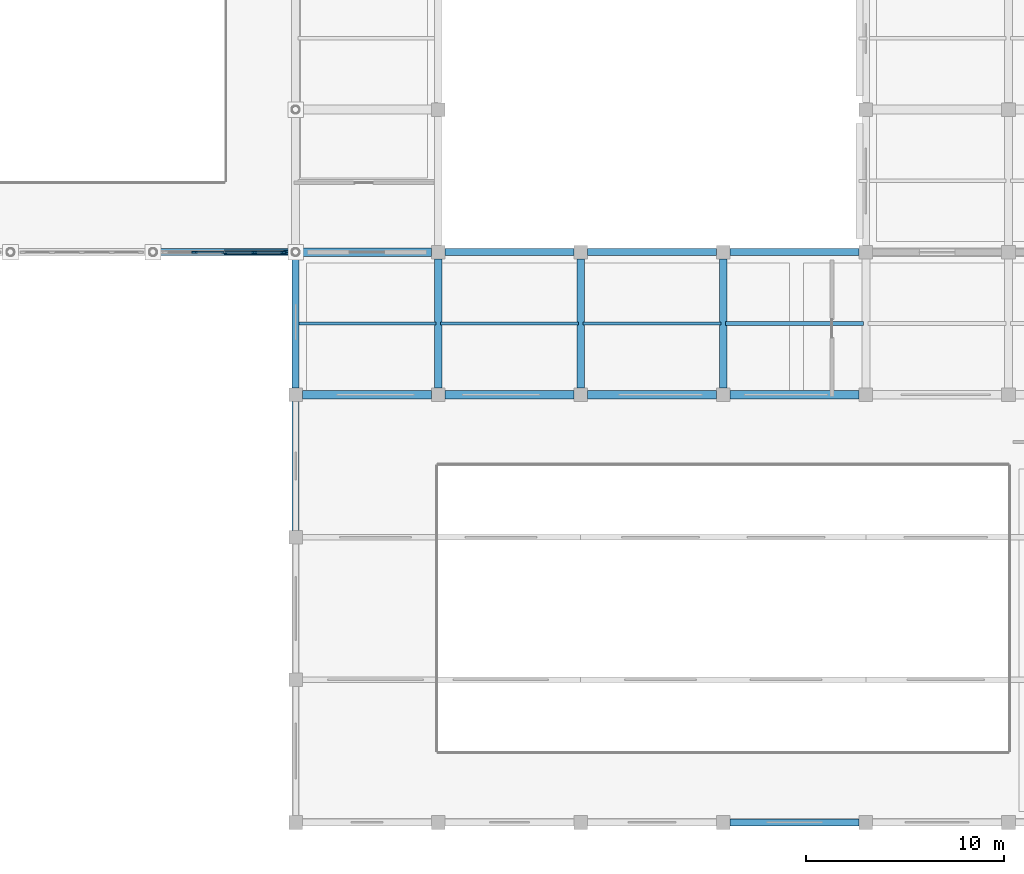
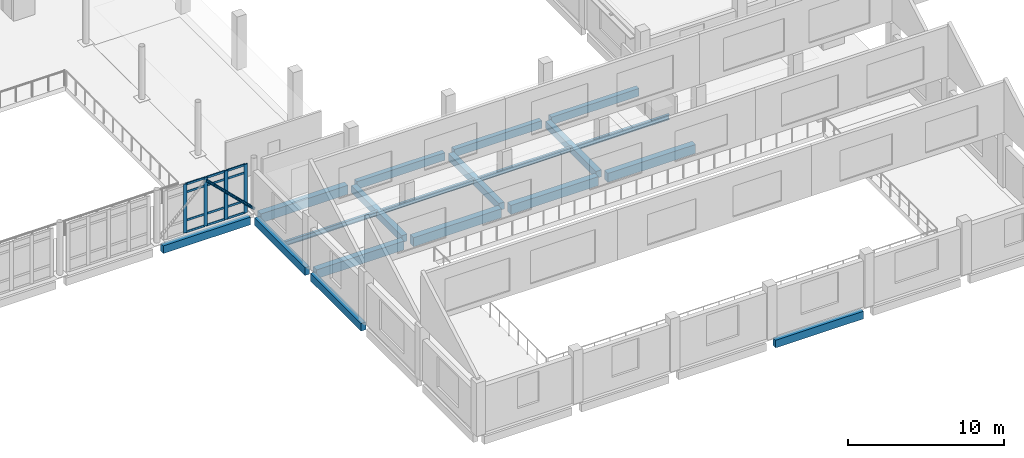
# One storey, part 19 of 62: 19 beams, 17 members, 1 element without a shape of its own.
"""IFC4 building model written with IfcOpenShell, lengths in metres."""

from ifc_helpers import new_model, si_unit, direction, frame, origin, origin_2d, place, context, subcontext, project, spatial, rectangle, hollow_circle, i_section, extrude, material, layer, layer_set, material_profile, profile_set, type_object, element, aggregate, save


model = new_model("IFC4")

# Units and contexts
model_context = context("Model", 3, precision=1e-05, world=origin(), true_north=direction((0.0, 1.0)))
body_context = subcontext(model_context, "Body", "Model", "MODEL_VIEW")
ifc_project = project(units=[si_unit("LENGTHUNIT", "METRE"), si_unit("AREAUNIT", "SQUARE_METRE"), si_unit("VOLUMEUNIT", "CUBIC_METRE"), si_unit("PLANEANGLEUNIT", "RADIAN"), si_unit("MASSUNIT", "GRAM", prefix="KILO")], contexts=[model_context])

# Site, building, storey
site_placement = place(None, origin())
site = spatial("IfcSite", under=ifc_project, at=site_placement, CompositionType="ELEMENT")
building_placement = place(site_placement, origin())
building = spatial("IfcBuilding", under=site, at=building_placement, Name="Valkovuoma Quantum and Materials Research Institute", CompositionType="ELEMENT")
storey_placement = place(building_placement, frame((0.0, 0.0, 8.9599609375)))
storey = spatial("IfcBuildingStorey", under=building, at=storey_placement, Name="L02", CompositionType="ELEMENT", Elevation=8.9599609375)

# Beams
ifc_material_1 = material(Name="Steel S355J2", Category="steel")
ifc_material_profile_1 = material_profile(ifc_material_1, i_section(OverallWidth=0.169921875, OverallDepth=0.360107421875, WebThickness=0.008056640625, FlangeThickness=0.0126953125, FilletRadius=0.01806640625, at=origin_2d()), Name="Steel S355J2")
ifc_profile_set_1 = profile_set([ifc_material_profile_1], Name="Steel S355J2")
beam_type_1 = type_object("IfcBeamType", Name="Beam-B-JST360", PredefinedType="JOIST", material=ifc_profile_set_1)
for number, where, z_axis, x_axis, name in (
    (1, (100.919921875, 32.39990234375, -0.530029296875), (1.0, 0.0, 0.0), (0.0, 1.0, 0.0), "L02 floor joist 1302"),
    (2, (108.1201171875, 32.39990234375, -0.530029296875), (1.0, 0.0, 0.0), (0.0, 1.0, 0.0), "L02 floor joist 1303"),
    (3, (115.320068359375, 32.39990234375, -0.530029296875), (1.0, 0.0, 0.0), (0.0, 1.0, 0.0), "L02 floor joist 1304"),
):
    element("IfcBeam", number, at=place(storey_placement, frame(where, z_axis=z_axis, x_axis=x_axis)), inside=storey, type_object=beam_type_1, Name=name, PredefinedType="JOIST", context=body_context, shape_type="SweptSolid", body=[
        extrude(i_section(OverallWidth=0.169921875, OverallDepth=0.360107421875, WebThickness=0.008056640625, FlangeThickness=0.0126953125, FilletRadius=0.01806640625, at=origin_2d()), origin(), (0.0, 0.0, 1.0), 6.9599609375),
    ])
ifc_material_2 = material(Name="Steel S355J2", Category="steel")
ifc_material_profile_2 = material_profile(ifc_material_2, i_section(OverallWidth=0.179931640625, OverallDepth=0.39990234375, WebThickness=0.008544921875, FlangeThickness=0.013427734375, FilletRadius=0.02099609375, at=origin_2d()), Name="Steel S355J2")
ifc_profile_set_2 = profile_set([ifc_material_profile_2], Name="Steel S355J2")
beam_type_2 = type_object("IfcBeamType", Name="Beam-B-JST400", PredefinedType="JOIST", material=ifc_profile_set_2)
beam_1_placement = place(storey_placement, frame((122.52001953125, 32.39990234375, -0.550048828125), z_axis=(1.0, 0.0, 0.0), x_axis=(0.0, 1.0, 0.0)))
element("IfcBeam", 4, at=beam_1_placement, inside=storey, type_object=beam_type_2, Name="L02 floor joist 1305", PredefinedType="JOIST", context=body_context, shape_type="SweptSolid", body=[
    extrude(i_section(OverallWidth=0.179931640625, OverallDepth=0.39990234375, WebThickness=0.008544921875, FlangeThickness=0.013427734375, FilletRadius=0.02099609375, at=origin_2d()), origin(), (0.0, 0.0, 1.0), 6.9599609375),
])
ifc_material_3 = material(Name="Concrete C40/50", Category="concrete")
ifc_material_profile_3 = material_profile(ifc_material_3, rectangle(XDim=0.39990234375, YDim=0.550048828125, at=origin_2d()), Name="Concrete C40/50")
ifc_profile_set_3 = profile_set([ifc_material_profile_3], Name="Concrete C40/50")
beam_type_3 = type_object("IfcBeamType", Name="Beam-B-RC550", PredefinedType="BEAM", material=ifc_profile_set_3)
for number, where, z_axis, x_axis, name in (
    (5, (108.0, 29.14990234375, -0.625), (0.0, 1.0, 0.0), (-1.0, 0.0, 0.0), "L02 beam Y-1225"),
    (6, (115.199951171875, 29.14990234375, -0.625), (0.0, 1.0, 0.0), (-1.0, 0.0, 0.0), "L02 beam Y-1230"),
    (7, (122.39990234375, 29.14990234375, -0.625), (0.0, 1.0, 0.0), (-1.0, 0.0, 0.0), "L02 beam Y-1231"),
):
    element("IfcBeam", number, at=place(storey_placement, frame(where, z_axis=z_axis, x_axis=x_axis)), inside=storey, type_object=beam_type_3, Name=name, PredefinedType="BEAM", context=body_context, shape_type="SweptSolid", body=[
        extrude(rectangle(XDim=0.39990234375, YDim=0.550048828125, at=origin_2d()), origin(), (0.0, 0.0, 1.0), 6.5),
    ])
ifc_material_4 = material(Name="Concrete C40/50", Category="concrete")
ifc_material_profile_4 = material_profile(ifc_material_4, rectangle(XDim=0.449951171875, YDim=0.699951171875, at=origin_2d()), Name="Concrete C40/50")
ifc_profile_set_4 = profile_set([ifc_material_profile_4], Name="Concrete C40/50")
beam_type_4 = type_object("IfcBeamType", Name="Beam-B-RC700", PredefinedType="BEAM", material=ifc_profile_set_4)
for number, where, z_axis, x_axis, name in (
    (8, (101.14990234375, 28.800048828125, -0.699951171875), (1.0, 0.0, 0.0), (0.0, 1.0, 0.0), "L02 beam X-0995"),
    (9, (108.35009765625, 28.800048828125, -0.699951171875), (1.0, 0.0, 0.0), (0.0, 1.0, 0.0), "L02 beam X-0996"),
    (10, (115.550048828125, 28.800048828125, -0.699951171875), (1.0, 0.0, 0.0), (0.0, 1.0, 0.0), "L02 beam X-0997"),
    (11, (122.75, 28.800048828125, -0.699951171875), (1.0, 0.0, 0.0), (0.0, 1.0, 0.0), "L02 beam X-0998"),
):
    element("IfcBeam", number, at=place(storey_placement, frame(where, z_axis=z_axis, x_axis=x_axis)), inside=storey, type_object=beam_type_4, Name=name, PredefinedType="BEAM", context=body_context, shape_type="SweptSolid", body=[
        extrude(rectangle(XDim=0.449951171875, YDim=0.699951171875, at=origin_2d()), origin(), (0.0, 0.0, 1.0), 6.5),
    ])
beam_2_placement = place(storey_placement, frame((101.175048828125, 36.0, -0.699951171875), z_axis=(1.0, 0.0, 0.0), x_axis=(0.0, 1.0, 0.0)))
element("IfcBeam", 12, at=beam_2_placement, inside=storey, type_object=beam_type_4, Name="L02 beam X-1013", PredefinedType="BEAM", context=body_context, shape_type="SweptSolid", body=[
    extrude(rectangle(XDim=0.449951171875, YDim=0.699951171875, at=origin_2d()), origin(), (0.0, 0.0, 1.0), 6.474853515625),
])
ifc_material_5 = material(Name="Concrete C40/50", Category="concrete")
ifc_material_profile_5 = material_profile(ifc_material_5, rectangle(XDim=0.35009765625, YDim=0.60009765625, at=origin_2d()), Name="Concrete C40/50")
ifc_profile_set_5 = profile_set([ifc_material_profile_5], Name="Concrete C40/50")
beam_type_5 = type_object("IfcBeamType", Name="Beam-B-SPN600", PredefinedType="SPANDREL", material=ifc_profile_set_5)
beam_3_placement = place(storey_placement, frame((122.75, 7.199951171875, -0.64990234375), z_axis=(1.0, 0.0, 0.0), x_axis=(0.0, 1.0, 0.0)))
element("IfcBeam", 13, at=beam_3_placement, inside=storey, type_object=beam_type_5, Name="L02 beam X-0990", PredefinedType="SPANDREL", context=body_context, shape_type="SweptSolid", body=[
    extrude(rectangle(XDim=0.35009765625, YDim=0.60009765625, at=origin_2d()), origin(), (0.0, 0.0, 1.0), 6.5),
])
beam_4_placement = place(storey_placement, frame((93.97509765625, 36.0, -0.64990234375), z_axis=(1.0, 0.0, 0.0), x_axis=(0.0, 1.0, 0.0)))
element("IfcBeam", 14, at=beam_4_placement, inside=storey, type_object=beam_type_5, Name="L02 beam X-1012", PredefinedType="SPANDREL", context=body_context, shape_type="SweptSolid", body=[
    extrude(rectangle(XDim=0.35009765625, YDim=0.60009765625, at=origin_2d()), origin(), (0.0, 0.0, 1.0), 6.449951171875),
])
for number, where, z_axis, x_axis, name in (
    (15, (108.35009765625, 36.0, -0.64990234375), (1.0, 0.0, 0.0), (0.0, 1.0, 0.0), "L02 beam X-1014"),
    (16, (115.550048828125, 36.0, -0.64990234375), (1.0, 0.0, 0.0), (0.0, 1.0, 0.0), "L02 beam X-1015"),
    (17, (122.75, 36.0, -0.64990234375), (1.0, 0.0, 0.0), (0.0, 1.0, 0.0), "L02 beam X-1016"),
    (18, (100.800048828125, 21.949951171875, -0.64990234375), (0.0, 1.0, 0.0), (-1.0, 0.0, 0.0), "L02 beam Y-1219"),
):
    element("IfcBeam", number, at=place(storey_placement, frame(where, z_axis=z_axis, x_axis=x_axis)), inside=storey, type_object=beam_type_5, Name=name, PredefinedType="SPANDREL", context=body_context, shape_type="SweptSolid", body=[
        extrude(rectangle(XDim=0.35009765625, YDim=0.60009765625, at=origin_2d()), origin(), (0.0, 0.0, 1.0), 6.5),
    ])
beam_5_placement = place(storey_placement, frame((100.800048828125, 29.14990234375, -0.64990234375), z_axis=(0.0, 1.0, 0.0), x_axis=(-1.0, 0.0, 0.0)))
element("IfcBeam", 19, at=beam_5_placement, inside=storey, type_object=beam_type_5, Name="L02 beam Y-1220", PredefinedType="SPANDREL", context=body_context, shape_type="SweptSolid", body=[
    extrude(rectangle(XDim=0.35009765625, YDim=0.60009765625, at=origin_2d()), origin(), (0.0, 0.0, 1.0), 6.47509765625),
])

# Curtain wall, members
ifc_material_6 = material(Name="Thermally broken aluminium and triple low-E glazing", Category="aluminium")
ifc_layer = layer(ifc_material_6, 0.219970703125)
ifc_layer_set = layer_set([ifc_layer], Name="Thermally broken aluminium and triple low-E glazing")
curtain_wall_type = type_object("IfcCurtainWallType", Name="CW-CW-02", PredefinedType="NOTDEFINED", material=ifc_layer_set)
curtain_wall_placement = place(storey_placement, origin())
curtain_wall = element("IfcCurtainWall", 20, at=curtain_wall_placement, inside=storey, type_object=curtain_wall_type, Name="L02 curtain wall 190", PredefinedType="NOTDEFINED")
ifc_material_7 = material(Name="Anodised aluminium 6060-T66", Category="aluminium")
ifc_material_profile_6 = material_profile(ifc_material_7, rectangle(XDim=0.080078125, YDim=0.260009765625, at=origin_2d()), Name="Anodised aluminium 6060-T66")
ifc_profile_set_6 = profile_set([ifc_material_profile_6], Name="Anodised aluminium 6060-T66")
member_type_1 = type_object("IfcMemberType", Name="CWMull-CWM-03", PredefinedType="MULLION", material=ifc_profile_set_6)
member_1_placement = place(storey_placement, frame((95.68994140625, 36.0, 0.0), z_axis=(0.0, 0.0, 1.0), x_axis=(0.0, 1.0, 0.0)))
member_1 = element("IfcMember", 21, at=member_1_placement, type_object=member_type_1, Name="CW-02 mullion 2", PredefinedType="MULLION", context=body_context, shape_type="SweptSolid", body=[
    extrude(rectangle(XDim=0.080078125, YDim=0.260009765625, at=origin_2d()), origin(), (0.0, 0.0, 1.0), 3.81005859375),
])
member_2_placement = place(storey_placement, frame((97.199951171875, 36.0, 0.0), z_axis=(0.0, 0.0, 1.0), x_axis=(0.0, 1.0, 0.0)))
member_2 = element("IfcMember", 22, at=member_2_placement, type_object=member_type_1, Name="CW-02 mullion 3", PredefinedType="MULLION", context=body_context, shape_type="SweptSolid", body=[
    extrude(rectangle(XDim=0.080078125, YDim=0.260009765625, at=origin_2d()), origin(), (0.0, 0.0, 1.0), 3.81005859375),
])
member_3_placement = place(storey_placement, frame((98.7099609375, 36.0, 0.0), z_axis=(0.0, 0.0, 1.0), x_axis=(0.0, 1.0, 0.0)))
member_3 = element("IfcMember", 23, at=member_3_placement, type_object=member_type_1, Name="CW-02 mullion 4", PredefinedType="MULLION", context=body_context, shape_type="SweptSolid", body=[
    extrude(rectangle(XDim=0.080078125, YDim=0.260009765625, at=origin_2d()), origin(), (0.0, 0.0, 1.0), 3.81005859375),
])
member_4_placement = place(storey_placement, frame((100.179931640625, 36.0, 0.0), z_axis=(0.0, 0.0, 1.0), x_axis=(0.0, 1.0, 0.0)))
member_4 = element("IfcMember", 24, at=member_4_placement, type_object=member_type_1, Name="CW-02 mullion 5", PredefinedType="MULLION", context=body_context, shape_type="SweptSolid", body=[
    extrude(rectangle(XDim=0.080078125, YDim=0.260009765625, at=origin_2d()), origin(), (0.0, 0.0, 1.0), 3.81005859375),
])
ifc_material_8 = material(Name="Anodised aluminium 6060-T66", Category="aluminium")
ifc_material_profile_7 = material_profile(ifc_material_8, rectangle(XDim=0.074951171875, YDim=0.159912109375, at=origin_2d()), Name="Anodised aluminium 6060-T66")
ifc_profile_set_7 = profile_set([ifc_material_profile_7], Name="Anodised aluminium 6060-T66")
member_type_2 = type_object("IfcMemberType", Name="CWTran-CWT-02", PredefinedType="USERDEFINED", material=ifc_profile_set_7)
member_5_placement = place(storey_placement, frame((95.72998046875, 36.0, 0.03759765625), z_axis=(1.0, 0.0, 0.0), x_axis=(0.0, 1.0, 0.0)))
member_5 = element("IfcMember", 25, at=member_5_placement, type_object=member_type_2, Name="CW-02 transom 2.1", ObjectType="TRANSOM", PredefinedType="USERDEFINED", context=body_context, shape_type="SweptSolid", body=[
    extrude(rectangle(XDim=0.074951171875, YDim=0.159912109375, at=origin_2d()), origin(), (0.0, 0.0, 1.0), 1.429931640625),
])
member_6_placement = place(storey_placement, frame((95.72998046875, 36.0, 0.949951171875), z_axis=(1.0, 0.0, 0.0), x_axis=(0.0, 1.0, 0.0)))
member_6 = element("IfcMember", 26, at=member_6_placement, type_object=member_type_2, Name="CW-02 transom 2.2", ObjectType="TRANSOM", PredefinedType="USERDEFINED", context=body_context, shape_type="SweptSolid", body=[
    extrude(rectangle(XDim=0.074951171875, YDim=0.159912109375, at=origin_2d()), origin(), (0.0, 0.0, 1.0), 1.429931640625),
])
member_7_placement = place(storey_placement, frame((95.72998046875, 36.0, 3.16015625), z_axis=(1.0, 0.0, 0.0), x_axis=(0.0, 1.0, 0.0)))
member_7 = element("IfcMember", 27, at=member_7_placement, type_object=member_type_2, Name="CW-02 transom 2.3", ObjectType="TRANSOM", PredefinedType="USERDEFINED", context=body_context, shape_type="SweptSolid", body=[
    extrude(rectangle(XDim=0.074951171875, YDim=0.159912109375, at=origin_2d()), origin(), (0.0, 0.0, 1.0), 1.429931640625),
])
member_8_placement = place(storey_placement, frame((95.72998046875, 36.0, 3.7724609375), z_axis=(1.0, 0.0, 0.0), x_axis=(0.0, 1.0, 0.0)))
member_8 = element("IfcMember", 28, at=member_8_placement, type_object=member_type_2, Name="CW-02 transom 2.4", ObjectType="TRANSOM", PredefinedType="USERDEFINED", context=body_context, shape_type="SweptSolid", body=[
    extrude(rectangle(XDim=0.074951171875, YDim=0.159912109375, at=origin_2d()), origin(), (0.0, 0.0, 1.0), 1.429931640625),
])
member_9_placement = place(storey_placement, frame((97.239990234375, 36.0, 0.03759765625), z_axis=(1.0, 0.0, 0.0), x_axis=(0.0, 1.0, 0.0)))
member_9 = element("IfcMember", 29, at=member_9_placement, type_object=member_type_2, Name="CW-02 transom 3.1", ObjectType="TRANSOM", PredefinedType="USERDEFINED", context=body_context, shape_type="SweptSolid", body=[
    extrude(rectangle(XDim=0.074951171875, YDim=0.159912109375, at=origin_2d()), origin(), (0.0, 0.0, 1.0), 1.429931640625),
])
member_10_placement = place(storey_placement, frame((97.239990234375, 36.0, 0.949951171875), z_axis=(1.0, 0.0, 0.0), x_axis=(0.0, 1.0, 0.0)))
member_10 = element("IfcMember", 30, at=member_10_placement, type_object=member_type_2, Name="CW-02 transom 3.2", ObjectType="TRANSOM", PredefinedType="USERDEFINED", context=body_context, shape_type="SweptSolid", body=[
    extrude(rectangle(XDim=0.074951171875, YDim=0.159912109375, at=origin_2d()), origin(), (0.0, 0.0, 1.0), 1.429931640625),
])
member_11_placement = place(storey_placement, frame((97.239990234375, 36.0, 3.16015625), z_axis=(1.0, 0.0, 0.0), x_axis=(0.0, 1.0, 0.0)))
member_11 = element("IfcMember", 31, at=member_11_placement, type_object=member_type_2, Name="CW-02 transom 3.3", ObjectType="TRANSOM", PredefinedType="USERDEFINED", context=body_context, shape_type="SweptSolid", body=[
    extrude(rectangle(XDim=0.074951171875, YDim=0.159912109375, at=origin_2d()), origin(), (0.0, 0.0, 1.0), 1.429931640625),
])
member_12_placement = place(storey_placement, frame((97.239990234375, 36.0, 3.7724609375), z_axis=(1.0, 0.0, 0.0), x_axis=(0.0, 1.0, 0.0)))
member_12 = element("IfcMember", 32, at=member_12_placement, type_object=member_type_2, Name="CW-02 transom 3.4", ObjectType="TRANSOM", PredefinedType="USERDEFINED", context=body_context, shape_type="SweptSolid", body=[
    extrude(rectangle(XDim=0.074951171875, YDim=0.159912109375, at=origin_2d()), origin(), (0.0, 0.0, 1.0), 1.429931640625),
])
member_13_placement = place(storey_placement, frame((98.75, 36.0, 0.03759765625), z_axis=(1.0, 0.0, 0.0), x_axis=(0.0, 1.0, 0.0)))
member_13 = element("IfcMember", 33, at=member_13_placement, type_object=member_type_2, Name="CW-02 transom 4.1", ObjectType="TRANSOM", PredefinedType="USERDEFINED", context=body_context, shape_type="SweptSolid", body=[
    extrude(rectangle(XDim=0.074951171875, YDim=0.159912109375, at=origin_2d()), origin(), (0.0, 0.0, 1.0), 1.389892578125),
])
member_14_placement = place(storey_placement, frame((98.75, 36.0, 0.949951171875), z_axis=(1.0, 0.0, 0.0), x_axis=(0.0, 1.0, 0.0)))
member_14 = element("IfcMember", 34, at=member_14_placement, type_object=member_type_2, Name="CW-02 transom 4.2", ObjectType="TRANSOM", PredefinedType="USERDEFINED", context=body_context, shape_type="SweptSolid", body=[
    extrude(rectangle(XDim=0.074951171875, YDim=0.159912109375, at=origin_2d()), origin(), (0.0, 0.0, 1.0), 1.389892578125),
])
member_15_placement = place(storey_placement, frame((98.75, 36.0, 3.16015625), z_axis=(1.0, 0.0, 0.0), x_axis=(0.0, 1.0, 0.0)))
member_15 = element("IfcMember", 35, at=member_15_placement, type_object=member_type_2, Name="CW-02 transom 4.3", ObjectType="TRANSOM", PredefinedType="USERDEFINED", context=body_context, shape_type="SweptSolid", body=[
    extrude(rectangle(XDim=0.074951171875, YDim=0.159912109375, at=origin_2d()), origin(), (0.0, 0.0, 1.0), 1.389892578125),
])
member_16_placement = place(storey_placement, frame((98.75, 36.0, 3.7724609375), z_axis=(1.0, 0.0, 0.0), x_axis=(0.0, 1.0, 0.0)))
member_16 = element("IfcMember", 36, at=member_16_placement, type_object=member_type_2, Name="CW-02 transom 4.4", ObjectType="TRANSOM", PredefinedType="USERDEFINED", context=body_context, shape_type="SweptSolid", body=[
    extrude(rectangle(XDim=0.074951171875, YDim=0.159912109375, at=origin_2d()), origin(), (0.0, 0.0, 1.0), 1.389892578125),
])
aggregate(curtain_wall, [member_1, member_2, member_3, member_4, member_5, member_6, member_7, member_8, member_9, member_10, member_11, member_12, member_13, member_14, member_15, member_16])

# Member
ifc_material_9 = material(Name="Steel S355J2H", Category="steel")
ifc_material_profile_8 = material_profile(ifc_material_9, hollow_circle(Radius=0.109619140625, WallThickness=0.010009765625, at=origin_2d()), Name="Steel S355J2H")
ifc_profile_set_8 = profile_set([ifc_material_profile_8], Name="Steel S355J2H")
member_type_3 = type_object("IfcMemberType", Name="Mem-M-BRC219", PredefinedType="BRACE", material=ifc_profile_set_8)
member_17_placement = place(storey_placement, frame((100.800048828125, 36.0, 0.10009765625), z_axis=(-0.716008634166, 0.0, 0.698091423668), x_axis=(0.0, -1.0, 0.0)))
element("IfcMember", 37, at=member_17_placement, inside=storey, type_object=member_type_3, Name="L02 chevron wind brace 07B", PredefinedType="BRACE", context=body_context, shape_type="SweptSolid", body=[
    extrude(hollow_circle(Radius=0.109619140625, WallThickness=0.010009765625, at=origin_2d()), origin(), (0.0, 0.0, 1.0), 5.028076171875),
])

save(model, "model.ifc")
